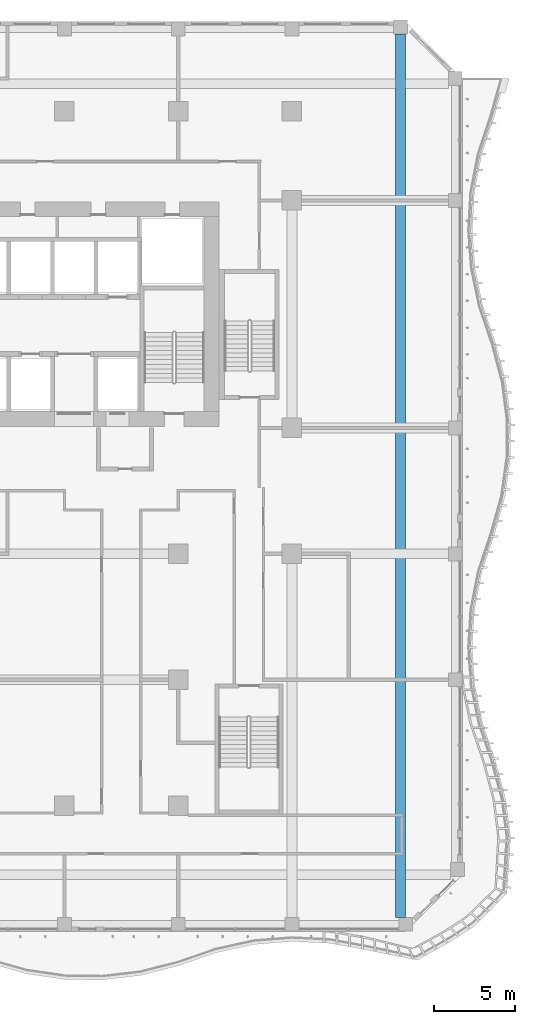
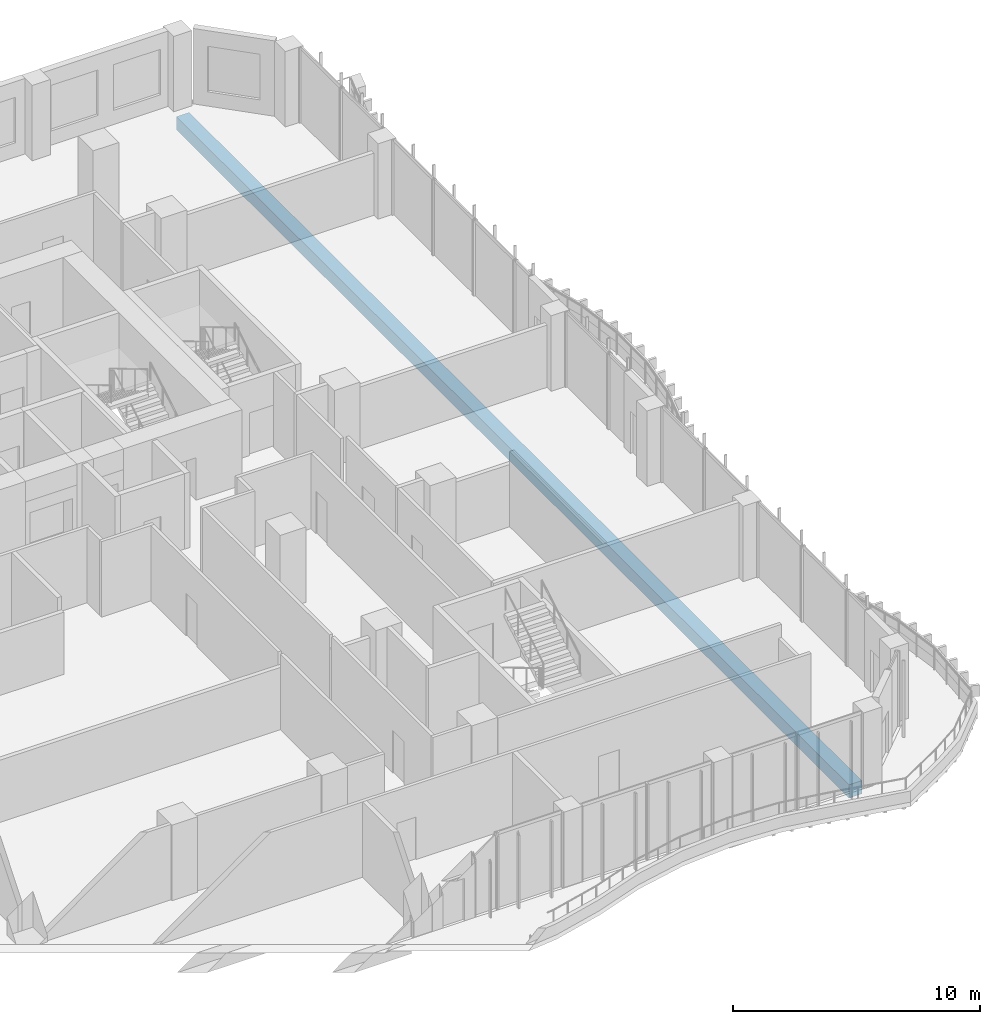
# One storey, part 5 of 26: 1 beam.
"""IFC4 building model written with IfcOpenShell, lengths in metres."""

import ifcopenshell
import ifcopenshell.guid

model = None  # the IFC model being written
_history = None  # IfcOwnerHistory: only IFC2X3 demands one
_inside = {}  # id of a spatial element -> (the spatial element, [elements in it])
_under = {}  # id of a project, library or spatial element -> (it, [spatial elements below it])
_declared = {}  # id of a project -> (the project, [libraries it declares])
_typed = {}  # id of a type object -> (the type object, [elements of that type])
_made_of = {}  # id of a material, layer set ... -> (it, [elements and type objects made of it])


def new_model(schema):
    """Start an empty IFC model of exactly this schema.

    Asked for "IFC4X3", IfcOpenShell would pick the latest addendum, in which some entities
    have other attributes; the version numbers below select the first issue.
    IFC2X3 requires an IfcOwnerHistory on every rooted entity: one is made here for all.
    """
    global model, _history
    if schema == "IFC4X3":
        model = ifcopenshell.file(schema_version=(4, 3, 0, 0))
    else:
        model = ifcopenshell.file(schema=schema)
    _inside.clear()
    _under.clear()
    _declared.clear()
    _typed.clear()
    _made_of.clear()
    _history = None
    if model.schema == "IFC2X3":
        org = make("IfcOrganization", Name="unknown")
        user = make(
            "IfcPersonAndOrganization",
            ThePerson=make("IfcPerson", FamilyName="unknown"),
            TheOrganization=org,
        )
        app = make(
            "IfcApplication",
            ApplicationDeveloper=org,
            Version="unknown",
            ApplicationFullName="unknown",
            ApplicationIdentifier="unknown",
        )
        _history = make(
            "IfcOwnerHistory",
            OwningUser=user,
            OwningApplication=app,
            ChangeAction="ADDED",
            CreationDate=0,
        )
    return model


def make(cls, **values):
    """One entity of the class cls with the attributes given. An attribute that is None is left unset."""
    return model.create_entity(
        cls, **{name: value for name, value in values.items() if value is not None}
    )


def rooted(cls, **values):
    """An entity with a GlobalId (a new one), such as an element, a storey or a relation."""
    return make(cls, GlobalId=ifcopenshell.guid.new(), OwnerHistory=_history, **values)


def si_unit(unit_type, name, prefix=None):
    """IfcSIUnit, for example si_unit("LENGTHUNIT", "METRE", prefix="MILLI")."""
    return make("IfcSIUnit", UnitType=unit_type, Prefix=prefix, Name=name)


def assignment(units):
    """IfcUnitAssignment: the units of a project."""
    return None if units is None else make("IfcUnitAssignment", Units=units)


def point(xyz):
    """IfcCartesianPoint."""
    return None if xyz is None else make("IfcCartesianPoint", Coordinates=xyz)


def direction(xyz):
    """IfcDirection."""
    return None if xyz is None else make("IfcDirection", DirectionRatios=xyz)


def frame(location, z_axis=None, x_axis=None):
    """IfcAxis2Placement3D, a coordinate frame: its origin and axes. An axis left out is left unset."""
    return make(
        "IfcAxis2Placement3D",
        Location=point(location),
        Axis=direction(z_axis),
        RefDirection=direction(x_axis),
    )


def frame_2d(location, x_axis=None):
    """IfcAxis2Placement2D, a coordinate frame in the plane: its origin and x axis."""
    return make(
        "IfcAxis2Placement2D", Location=point(location), RefDirection=direction(x_axis)
    )


def origin():
    """The frame at (0, 0, 0) with its axes left unset."""
    return frame((0.0, 0.0, 0.0))


def origin_2d():
    """The frame at (0, 0) in the plane with its x axis left unset."""
    return frame_2d((0.0, 0.0))


def place(relative_to, where):
    """IfcLocalPlacement: puts the frame where relative to a parent placement (None: the world)."""
    return make(
        "IfcLocalPlacement", PlacementRelTo=relative_to, RelativePlacement=where
    )


def context(
    kind, dimensions, precision=None, world=None, true_north=None, identifier=None
):
    """IfcGeometricRepresentationContext, for example the 3D "Model" context."""
    return make(
        "IfcGeometricRepresentationContext",
        ContextIdentifier=identifier,
        ContextType=kind,
        CoordinateSpaceDimension=dimensions,
        Precision=precision,
        WorldCoordinateSystem=world,
        TrueNorth=true_north,
    )


def subcontext(parent, identifier, kind, view, scale=None):
    """IfcGeometricRepresentationSubContext, for example "Body" below "Model"."""
    return make(
        "IfcGeometricRepresentationSubContext",
        ContextIdentifier=identifier,
        ContextType=kind,
        ParentContext=parent,
        TargetScale=scale,
        TargetView=view,
    )


def project(units=None, contexts=None):
    """IfcProject with its units and contexts."""
    return rooted(
        "IfcProject",
        Name="project",
        RepresentationContexts=contexts,
        UnitsInContext=assignment(units),
    )


def spatial(cls, under=None, at=None, **own):
    """A site, building, storey or space (cls), placed at a placement, below another one or the project."""
    s = rooted(cls, ObjectPlacement=at, **own)
    if under is not None:
        _under.setdefault(under.id(), (under, []))[1].append(s)
    return s


def profile(cls, at=None, kind="AREA", **sizes):
    """A parametric profile (cls). Its sizes go by their IFC names, for example OverallWidth=200.0."""
    return make(cls, ProfileType=kind, Position=at, **sizes)


def rectangle(**sizes):
    """IfcRectangleProfileDef."""
    return profile("IfcRectangleProfileDef", **sizes)


def extrude(swept, where, along, depth):
    """IfcExtrudedAreaSolid: the profile swept, set in the frame where, extruded along a direction by depth."""
    return make(
        "IfcExtrudedAreaSolid",
        SweptArea=swept,
        Position=where,
        ExtrudedDirection=direction(along),
        Depth=depth,
    )


def shape(context_of_items, identifier, shape_type, items):
    """IfcShapeRepresentation: the items that make up one representation, for example the "Body"."""
    return make(
        "IfcShapeRepresentation",
        ContextOfItems=context_of_items,
        RepresentationIdentifier=identifier,
        RepresentationType=shape_type,
        Items=items,
    )


def source(mapping_origin, context_of_items, identifier, shape_type, items):
    """IfcRepresentationMap: a shape defined once, which mapped items show again and again."""
    return make(
        "IfcRepresentationMap",
        MappingOrigin=mapping_origin,
        MappedRepresentation=shape(context_of_items, identifier, shape_type, items),
    )


def transform(
    local_origin,
    x_axis=None,
    y_axis=None,
    z_axis=None,
    scale=None,
    scale2=None,
    scale3=None,
    uniform=True,
):
    """IfcCartesianTransformationOperator3D, or its non-uniform kind. x_axis, y_axis, z_axis: its Axis1, 2, 3."""
    if uniform:
        return make(
            "IfcCartesianTransformationOperator3D",
            Axis1=direction(x_axis),
            Axis2=direction(y_axis),
            LocalOrigin=point(local_origin),
            Scale=scale,
            Axis3=direction(z_axis),
        )
    return make(
        "IfcCartesianTransformationOperator3DnonUniform",
        Axis1=direction(x_axis),
        Axis2=direction(y_axis),
        LocalOrigin=point(local_origin),
        Scale=scale,
        Axis3=direction(z_axis),
        Scale2=scale2,
        Scale3=scale3,
    )


def mapped(mapping_source, mapping_target):
    """IfcMappedItem: shows the shape of a source again, moved by a transform."""
    return make(
        "IfcMappedItem", MappingSource=mapping_source, MappingTarget=mapping_target
    )


def material(Name=None, Category=None):
    """IfcMaterial."""
    return make("IfcMaterial", Name=Name, Category=Category)


def material_profile(
    of_material, cross_section, Name=None, Category=None, Priority=None
):
    """IfcMaterialProfile: a cross section and its material."""
    return make(
        "IfcMaterialProfile",
        Name=Name,
        Material=of_material,
        Profile=cross_section,
        Priority=Priority,
        Category=Category,
    )


def profile_set(profiles, Name=None, composite=None):
    """IfcMaterialProfileSet."""
    return make(
        "IfcMaterialProfileSet",
        Name=Name,
        MaterialProfiles=profiles,
        CompositeProfile=composite,
    )


def made_of(thing, what):
    """Note that an element or type object is made of a material, layer set ...; save() writes the relation."""
    if what is not None:
        _made_of.setdefault(what.id(), (what, []))[1].append(thing)
    return thing


def type_object(cls, material=None, **own):
    """A type object (cls), such as IfcWallType, which elements share."""
    return made_of(rooted(cls, **own), material)


def element(
    cls,
    number,
    at=None,
    inside=None,
    cuts=None,
    type_object=None,
    material=None,
    context=None,
    identifier="Body",
    shape_type=None,
    held_by="IfcProductDefinitionShape",
    body=None,
    shapes=None,
    **own,
):
    """One element of the class cls, such as IfcWall. Its Tag is "e" and its number.

    at: its placement. inside: the storey or other place that contains it. cuts: it is an
    opening in that element (IfcRelVoidsElement). A single representation is given by context,
    identifier, shape_type and body (its items); several are given by shapes. held_by: the class
    of the entity that holds the representations. save() writes the other relations.
    """
    e = rooted(cls, Tag="e%d" % number, ObjectPlacement=at, **own)
    if body is not None:
        shapes = [shape(context, identifier, shape_type, body)]
    if shapes is not None:
        e.Representation = make(held_by, Representations=shapes)
    if inside is not None:
        _inside.setdefault(inside.id(), (inside, []))[1].append(e)
    if cuts is not None:
        rooted(
            "IfcRelVoidsElement", RelatingBuildingElement=cuts, RelatedOpeningElement=e
        )
    if type_object is not None:
        _typed.setdefault(type_object.id(), (type_object, []))[1].append(e)
    return made_of(e, material)


def aggregate(whole, parts):
    """IfcRelAggregates: a whole, such as a stair, and the parts it consists of."""
    return rooted("IfcRelAggregates", RelatingObject=whole, RelatedObjects=parts)


def save(model, path):
    """Write the relations noted so far, then the file.

    IfcRelAggregates (storeys below a building ...), IfcRelContainedInSpatialStructure (elements
    in a storey), IfcRelDefinesByType, IfcRelAssociatesMaterial and IfcRelDeclares: one each for
    every whole, place, type object, material and project.
    """
    for whole, parts in _under.values():
        aggregate(whole, parts)
    for where, things in _inside.values():
        rooted(
            "IfcRelContainedInSpatialStructure",
            RelatedElements=things,
            RelatingStructure=where,
        )
    for kind, things in _typed.values():
        rooted("IfcRelDefinesByType", RelatedObjects=things, RelatingType=kind)
    for what, things in _made_of.values():
        rooted("IfcRelAssociatesMaterial", RelatedObjects=things, RelatingMaterial=what)
    for by, libraries in _declared.values():
        rooted("IfcRelDeclares", RelatingContext=by, RelatedDefinitions=libraries)
    model.write(path)


model = new_model("IFC4")

# Units and contexts
model_context = context("Model", 3, precision=1e-05, world=origin(), true_north=direction((0.0, 1.0)))
body_context = subcontext(model_context, "Body", "Model", "MODEL_VIEW")
ifc_project = project(units=[si_unit("LENGTHUNIT", "METRE"), si_unit("AREAUNIT", "SQUARE_METRE"), si_unit("VOLUMEUNIT", "CUBIC_METRE"), si_unit("PLANEANGLEUNIT", "RADIAN"), si_unit("MASSUNIT", "GRAM", prefix="KILO")], contexts=[model_context])

# Site, building, storey
site_placement = place(None, origin())
site = spatial("IfcSite", under=ifc_project, at=site_placement, CompositionType="ELEMENT")
building_placement = place(site_placement, origin())
building = spatial("IfcBuilding", under=site, at=building_placement, Name="Kilnfold Tower and Market Hall", CompositionType="ELEMENT")
storey_placement = place(building_placement, frame((0.0, 0.0, 108.60009765625)))
storey = spatial("IfcBuildingStorey", under=building, at=storey_placement, Name="L25", CompositionType="ELEMENT", Elevation=108.60009765625)

# Beam
ifc_material = material(Name="Concrete C45", Category="concrete")
ifc_material_profile = material_profile(ifc_material, rectangle(XDim=0.60009765625, YDim=0.64990234375, at=origin_2d()), Name="RC 600x650")
ifc_profile_set = profile_set([ifc_material_profile], Name="Concrete C45")
beam_type = type_object("IfcBeamType", Name="BEAM 600X650 C45", PredefinedType="BEAM", material=ifc_profile_set)
shared_shape = source(origin(), body_context, "Body", "SweptSolid", [
    extrude(rectangle(XDim=0.60009765625, YDim=0.64990234375, at=origin_2d()), origin(), (0.0, 0.0, 1.0), 54.3818359375),
])
beam_placement = place(storey_placement, frame((29.179931640625, -22.125, -0.60498046875), z_axis=(0.0, 1.0, 0.0), x_axis=(-1.0, 0.0, 0.0)))
element("IfcBeam", 1, at=beam_placement, inside=storey, type_object=beam_type, Name="Beam BB650-B3.82", PredefinedType="BEAM", context=body_context, shape_type="MappedRepresentation", body=[
    mapped(shared_shape, transform((0.0, 0.0, 0.0))),
])

save(model, "model.ifc")
